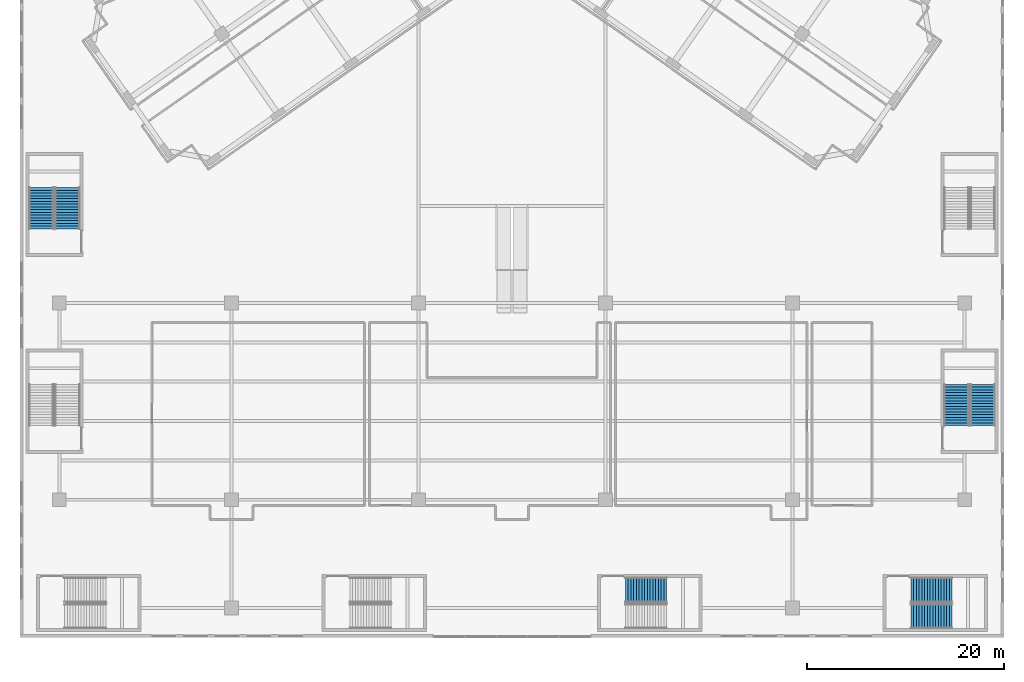
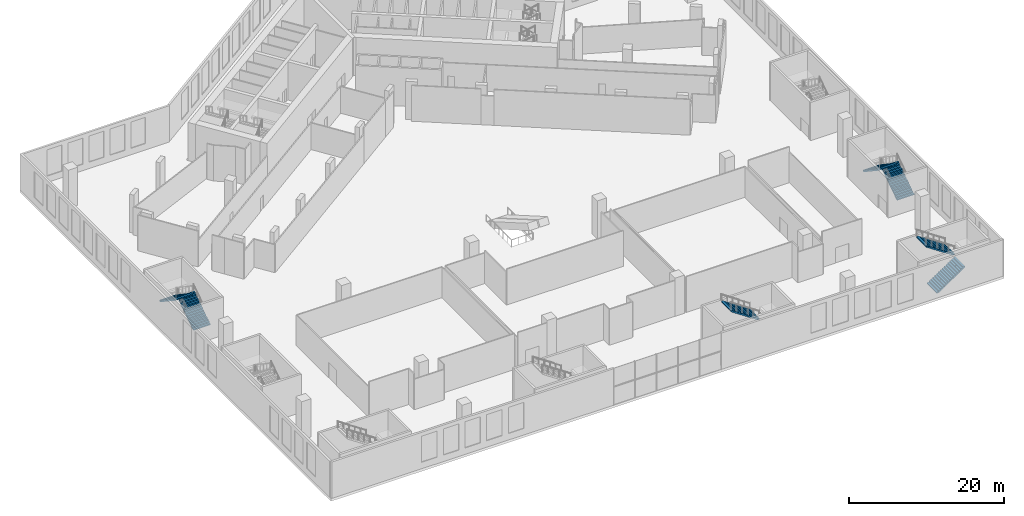
# One storey, part 14 of 25: 7 stair flights, 4 elements without a shape of their own.
"""IFC4 building model written with IfcOpenShell, lengths in metres."""

import ifcopenshell
import ifcopenshell.guid

model = None  # the IFC model being written
_history = None  # IfcOwnerHistory: only IFC2X3 demands one
_inside = {}  # id of a spatial element -> (the spatial element, [elements in it])
_under = {}  # id of a project, library or spatial element -> (it, [spatial elements below it])
_declared = {}  # id of a project -> (the project, [libraries it declares])
_typed = {}  # id of a type object -> (the type object, [elements of that type])
_made_of = {}  # id of a material, layer set ... -> (it, [elements and type objects made of it])


def new_model(schema):
    """Start an empty IFC model of exactly this schema.

    Asked for "IFC4X3", IfcOpenShell would pick the latest addendum, in which some entities
    have other attributes; the version numbers below select the first issue.
    IFC2X3 requires an IfcOwnerHistory on every rooted entity: one is made here for all.
    """
    global model, _history
    if schema == "IFC4X3":
        model = ifcopenshell.file(schema_version=(4, 3, 0, 0))
    else:
        model = ifcopenshell.file(schema=schema)
    _inside.clear()
    _under.clear()
    _declared.clear()
    _typed.clear()
    _made_of.clear()
    _history = None
    if model.schema == "IFC2X3":
        org = make("IfcOrganization", Name="unknown")
        user = make(
            "IfcPersonAndOrganization",
            ThePerson=make("IfcPerson", FamilyName="unknown"),
            TheOrganization=org,
        )
        app = make(
            "IfcApplication",
            ApplicationDeveloper=org,
            Version="unknown",
            ApplicationFullName="unknown",
            ApplicationIdentifier="unknown",
        )
        _history = make(
            "IfcOwnerHistory",
            OwningUser=user,
            OwningApplication=app,
            ChangeAction="ADDED",
            CreationDate=0,
        )
    return model


def make(cls, **values):
    """One entity of the class cls with the attributes given. An attribute that is None is left unset."""
    return model.create_entity(
        cls, **{name: value for name, value in values.items() if value is not None}
    )


def rooted(cls, **values):
    """An entity with a GlobalId (a new one), such as an element, a storey or a relation."""
    return make(cls, GlobalId=ifcopenshell.guid.new(), OwnerHistory=_history, **values)


def si_unit(unit_type, name, prefix=None):
    """IfcSIUnit, for example si_unit("LENGTHUNIT", "METRE", prefix="MILLI")."""
    return make("IfcSIUnit", UnitType=unit_type, Prefix=prefix, Name=name)


def assignment(units):
    """IfcUnitAssignment: the units of a project."""
    return None if units is None else make("IfcUnitAssignment", Units=units)


def point(xyz):
    """IfcCartesianPoint."""
    return None if xyz is None else make("IfcCartesianPoint", Coordinates=xyz)


def direction(xyz):
    """IfcDirection."""
    return None if xyz is None else make("IfcDirection", DirectionRatios=xyz)


def frame(location, z_axis=None, x_axis=None):
    """IfcAxis2Placement3D, a coordinate frame: its origin and axes. An axis left out is left unset."""
    return make(
        "IfcAxis2Placement3D",
        Location=point(location),
        Axis=direction(z_axis),
        RefDirection=direction(x_axis),
    )


def origin():
    """The frame at (0, 0, 0) with its axes left unset."""
    return frame((0.0, 0.0, 0.0))


def place(relative_to, where):
    """IfcLocalPlacement: puts the frame where relative to a parent placement (None: the world)."""
    return make(
        "IfcLocalPlacement", PlacementRelTo=relative_to, RelativePlacement=where
    )


def context(
    kind, dimensions, precision=None, world=None, true_north=None, identifier=None
):
    """IfcGeometricRepresentationContext, for example the 3D "Model" context."""
    return make(
        "IfcGeometricRepresentationContext",
        ContextIdentifier=identifier,
        ContextType=kind,
        CoordinateSpaceDimension=dimensions,
        Precision=precision,
        WorldCoordinateSystem=world,
        TrueNorth=true_north,
    )


def subcontext(parent, identifier, kind, view, scale=None):
    """IfcGeometricRepresentationSubContext, for example "Body" below "Model"."""
    return make(
        "IfcGeometricRepresentationSubContext",
        ContextIdentifier=identifier,
        ContextType=kind,
        ParentContext=parent,
        TargetScale=scale,
        TargetView=view,
    )


def project(units=None, contexts=None):
    """IfcProject with its units and contexts."""
    return rooted(
        "IfcProject",
        Name="project",
        RepresentationContexts=contexts,
        UnitsInContext=assignment(units),
    )


def spatial(cls, under=None, at=None, **own):
    """A site, building, storey or space (cls), placed at a placement, below another one or the project."""
    s = rooted(cls, ObjectPlacement=at, **own)
    if under is not None:
        _under.setdefault(under.id(), (under, []))[1].append(s)
    return s


def polyline(points):
    """IfcPolyline through the points."""
    return make("IfcPolyline", Points=[point(p) for p in points])


def outline(outer, holes=None, kind="AREA"):
    """IfcArbitraryClosedProfileDef: a profile drawn as a closed curve; with holes, ...WithVoids."""
    if holes is None:
        return make("IfcArbitraryClosedProfileDef", ProfileType=kind, OuterCurve=outer)
    return make(
        "IfcArbitraryProfileDefWithVoids",
        ProfileType=kind,
        OuterCurve=outer,
        InnerCurves=holes,
    )


def extrude(swept, where, along, depth):
    """IfcExtrudedAreaSolid: the profile swept, set in the frame where, extruded along a direction by depth."""
    return make(
        "IfcExtrudedAreaSolid",
        SweptArea=swept,
        Position=where,
        ExtrudedDirection=direction(along),
        Depth=depth,
    )


def shape(context_of_items, identifier, shape_type, items):
    """IfcShapeRepresentation: the items that make up one representation, for example the "Body"."""
    return make(
        "IfcShapeRepresentation",
        ContextOfItems=context_of_items,
        RepresentationIdentifier=identifier,
        RepresentationType=shape_type,
        Items=items,
    )


def material(Name=None, Category=None):
    """IfcMaterial."""
    return make("IfcMaterial", Name=Name, Category=Category)


def made_of(thing, what):
    """Note that an element or type object is made of a material, layer set ...; save() writes the relation."""
    if what is not None:
        _made_of.setdefault(what.id(), (what, []))[1].append(thing)
    return thing


def type_object(cls, material=None, **own):
    """A type object (cls), such as IfcWallType, which elements share."""
    return made_of(rooted(cls, **own), material)


def element(
    cls,
    number,
    at=None,
    inside=None,
    cuts=None,
    type_object=None,
    material=None,
    context=None,
    identifier="Body",
    shape_type=None,
    held_by="IfcProductDefinitionShape",
    body=None,
    shapes=None,
    **own,
):
    """One element of the class cls, such as IfcWall. Its Tag is "e" and its number.

    at: its placement. inside: the storey or other place that contains it. cuts: it is an
    opening in that element (IfcRelVoidsElement). A single representation is given by context,
    identifier, shape_type and body (its items); several are given by shapes. held_by: the class
    of the entity that holds the representations. save() writes the other relations.
    """
    e = rooted(cls, Tag="e%d" % number, ObjectPlacement=at, **own)
    if body is not None:
        shapes = [shape(context, identifier, shape_type, body)]
    if shapes is not None:
        e.Representation = make(held_by, Representations=shapes)
    if inside is not None:
        _inside.setdefault(inside.id(), (inside, []))[1].append(e)
    if cuts is not None:
        rooted(
            "IfcRelVoidsElement", RelatingBuildingElement=cuts, RelatedOpeningElement=e
        )
    if type_object is not None:
        _typed.setdefault(type_object.id(), (type_object, []))[1].append(e)
    return made_of(e, material)


def aggregate(whole, parts):
    """IfcRelAggregates: a whole, such as a stair, and the parts it consists of."""
    return rooted("IfcRelAggregates", RelatingObject=whole, RelatedObjects=parts)


def save(model, path):
    """Write the relations noted so far, then the file.

    IfcRelAggregates (storeys below a building ...), IfcRelContainedInSpatialStructure (elements
    in a storey), IfcRelDefinesByType, IfcRelAssociatesMaterial and IfcRelDeclares: one each for
    every whole, place, type object, material and project.
    """
    for whole, parts in _under.values():
        aggregate(whole, parts)
    for where, things in _inside.values():
        rooted(
            "IfcRelContainedInSpatialStructure",
            RelatedElements=things,
            RelatingStructure=where,
        )
    for kind, things in _typed.values():
        rooted("IfcRelDefinesByType", RelatedObjects=things, RelatingType=kind)
    for what, things in _made_of.values():
        rooted("IfcRelAssociatesMaterial", RelatedObjects=things, RelatingMaterial=what)
    for by, libraries in _declared.values():
        rooted("IfcRelDeclares", RelatingContext=by, RelatedDefinitions=libraries)
    model.write(path)


model = new_model("IFC4")

# Units and contexts
model_context = context("Model", 3, precision=1e-05, world=origin(), true_north=direction((0.0, 1.0)))
body_context = subcontext(model_context, "Body", "Model", "MODEL_VIEW")
ifc_project = project(units=[si_unit("LENGTHUNIT", "METRE"), si_unit("AREAUNIT", "SQUARE_METRE"), si_unit("VOLUMEUNIT", "CUBIC_METRE"), si_unit("PLANEANGLEUNIT", "RADIAN"), si_unit("MASSUNIT", "GRAM", prefix="KILO")], contexts=[model_context])

# Site, building, storey
site_placement = place(None, origin())
site = spatial("IfcSite", under=ifc_project, at=site_placement, CompositionType="ELEMENT")
building_placement = place(site_placement, origin())
building = spatial("IfcBuilding", under=site, at=building_placement, Name="Tel Ilan Convention Tower", CompositionType="ELEMENT")
storey_placement = place(building_placement, frame((0.0, 0.0, 26.0)))
storey = spatial("IfcBuildingStorey", under=building, at=storey_placement, Name="L03", CompositionType="ELEMENT", Elevation=26.0)

# Stair, stair flight
ifc_material_1 = material(Name="Concrete C40/50", Category="concrete")
stair_type = type_object("IfcStairType", Name="Pressurised Exit Stair 32 risers 188 mm", PredefinedType="HALF_TURN_STAIR", material=ifc_material_1)
stair_1_placement = place(storey_placement, origin())
stair_1 = element("IfcStair", 1, at=stair_1_placement, inside=storey, type_object=stair_type, Name="L03 Podium Exit Stair P3", PredefinedType="HALF_TURN_STAIR")
ifc_material_2 = material(Name="Precast Concrete C40/50", Category="concrete")
stair_flight_type = type_object("IfcStairFlightType", Name="Concrete Stair Flight 2525 mm 32 risers 188 mm", PredefinedType="STRAIGHT", material=ifc_material_2)
stair_flight_1_placement = place(storey_placement, frame((15.72509765625, -77.16259765625, 3.0), z_axis=(0.0, 0.0, 1.0), x_axis=(-1.0, 0.0, 0.0)))
stair_flight_1 = element("IfcStairFlight", 2, at=stair_flight_1_placement, type_object=stair_flight_type, Name="P3 flight 2", NumberOfRisers=16, NumberOfTreads=15, PredefinedType="STRAIGHT", RiserHeight=0.1875, TreadLength=0.28, context=body_context, shape_type="SweptSolid", body=[
    extrude(outline(polyline([(0.0, 0.0), (0.0, 0.1875), (0.280029296875, 0.1875), (0.280029296875, 0.375), (0.56005859375, 0.375), (0.56005859375, 0.5625), (0.840087890625, 0.5625), (0.840087890625, 0.75), (1.1201171875, 0.75), (1.1201171875, 0.9375), (1.39990234375, 0.9375), (1.39990234375, 1.125), (1.679931640625, 1.125), (1.679931640625, 1.3125), (1.9599609375, 1.3125), (1.9599609375, 1.5), (2.239990234375, 1.5), (2.239990234375, 1.6875), (2.52001953125, 1.6875), (2.52001953125, 1.875), (2.800048828125, 1.875), (2.800048828125, 2.0625), (3.080078125, 2.0625), (3.080078125, 2.25), (3.360107421875, 2.25), (3.360107421875, 2.4375), (3.639892578125, 2.4375), (3.639892578125, 2.625), (3.919921875, 2.625), (3.919921875, 2.8125), (4.199951171875, 2.8125), (4.199951171875, 3.0), (4.199951171875, 2.632080078125), (0.26953125, 0.0), (0.0, 0.0)])), frame((0.0, -0.100341796875, 0.0), z_axis=(0.0, -1.0, 0.0), x_axis=(1.0, 0.0, 0.0)), (0.0, 0.0, 1.0), 1.162109375),
    extrude(outline(polyline([(0.0, 0.0), (0.0, 0.1875), (0.280029296875, 0.1875), (0.280029296875, 0.375), (0.56005859375, 0.375), (0.56005859375, 0.5625), (0.840087890625, 0.5625), (0.840087890625, 0.75), (1.1201171875, 0.75), (1.1201171875, 0.9375), (1.39990234375, 0.9375), (1.39990234375, 1.125), (1.679931640625, 1.125), (1.679931640625, 1.3125), (1.9599609375, 1.3125), (1.9599609375, 1.5), (2.239990234375, 1.5), (2.239990234375, 1.6875), (2.52001953125, 1.6875), (2.52001953125, 1.875), (2.800048828125, 1.875), (2.800048828125, 2.0625), (3.080078125, 2.0625), (3.080078125, 2.25), (3.360107421875, 2.25), (3.360107421875, 2.4375), (3.639892578125, 2.4375), (3.639892578125, 2.625), (3.919921875, 2.625), (3.919921875, 2.8125), (4.199951171875, 2.8125), (4.199951171875, 3.0), (4.199951171875, 2.632080078125), (0.26953125, 0.0), (0.0, 0.0)])), frame((0.0, -0.000244140625, 0.0), z_axis=(0.0, -1.0, 0.0), x_axis=(1.0, 0.0, 0.0)), (0.0, 0.0, 1.0), 0.099609375),
    extrude(outline(polyline([(0.0, 0.0), (0.0, 0.1875), (0.280029296875, 0.1875), (0.280029296875, 0.375), (0.56005859375, 0.375), (0.56005859375, 0.5625), (0.840087890625, 0.5625), (0.840087890625, 0.75), (1.1201171875, 0.75), (1.1201171875, 0.9375), (1.39990234375, 0.9375), (1.39990234375, 1.125), (1.679931640625, 1.125), (1.679931640625, 1.3125), (1.9599609375, 1.3125), (1.9599609375, 1.5), (2.239990234375, 1.5), (2.239990234375, 1.6875), (2.52001953125, 1.6875), (2.52001953125, 1.875), (2.800048828125, 1.875), (2.800048828125, 2.0625), (3.080078125, 2.0625), (3.080078125, 2.25), (3.360107421875, 2.25), (3.360107421875, 2.4375), (3.639892578125, 2.4375), (3.639892578125, 2.625), (3.919921875, 2.625), (3.919921875, 2.8125), (4.199951171875, 2.8125), (4.199951171875, 3.0), (4.199951171875, 2.632080078125), (0.26953125, 0.0), (0.0, 0.0)])), frame((0.0, 0.099853515625, 0.0), z_axis=(0.0, -1.0, 0.0), x_axis=(1.0, 0.0, 0.0)), (0.0, 0.0, 1.0), 0.099609375),
    extrude(outline(polyline([(0.0, 0.0), (0.0, 0.1875), (0.280029296875, 0.1875), (0.280029296875, 0.375), (0.56005859375, 0.375), (0.56005859375, 0.5625), (0.840087890625, 0.5625), (0.840087890625, 0.75), (1.1201171875, 0.75), (1.1201171875, 0.9375), (1.39990234375, 0.9375), (1.39990234375, 1.125), (1.679931640625, 1.125), (1.679931640625, 1.3125), (1.9599609375, 1.3125), (1.9599609375, 1.5), (2.239990234375, 1.5), (2.239990234375, 1.6875), (2.52001953125, 1.6875), (2.52001953125, 1.875), (2.800048828125, 1.875), (2.800048828125, 2.0625), (3.080078125, 2.0625), (3.080078125, 2.25), (3.360107421875, 2.25), (3.360107421875, 2.4375), (3.639892578125, 2.4375), (3.639892578125, 2.625), (3.919921875, 2.625), (3.919921875, 2.8125), (4.199951171875, 2.8125), (4.199951171875, 3.0), (4.199951171875, 2.632080078125), (0.26953125, 0.0), (0.0, 0.0)])), frame((0.0, 1.262451171875, 0.0), z_axis=(0.0, -1.0, 0.0), x_axis=(1.0, 0.0, 0.0)), (0.0, 0.0, 1.0), 1.162109375),
])
aggregate(stair_1, [stair_flight_1])

# Stair, stair flights
stair_2_placement = place(storey_placement, origin())
stair_2 = element("IfcStair", 3, at=stair_2_placement, inside=storey, type_object=stair_type, Name="L03 Podium Exit Stair P4", PredefinedType="HALF_TURN_STAIR")
stair_flight_2_placement = place(storey_placement, frame((40.52490234375, -79.83740234375, 0.0), z_axis=(0.0, 0.0, 1.0), x_axis=(1.0, 0.0, 0.0)))
stair_flight_2 = element("IfcStairFlight", 4, at=stair_flight_2_placement, type_object=stair_flight_type, Name="P4 flight 1", NumberOfRisers=16, NumberOfTreads=15, PredefinedType="STRAIGHT", RiserHeight=0.1875, TreadLength=0.28, context=body_context, shape_type="SweptSolid", body=[
    extrude(outline(polyline([(0.0, 0.0), (0.0, 0.1875), (0.280029296875, 0.1875), (0.280029296875, 0.375), (0.56005859375, 0.375), (0.56005859375, 0.5625), (0.840087890625, 0.5625), (0.840087890625, 0.75), (1.1201171875, 0.75), (1.1201171875, 0.9375), (1.39990234375, 0.9375), (1.39990234375, 1.125), (1.679931640625, 1.125), (1.679931640625, 1.3125), (1.9599609375, 1.3125), (1.9599609375, 1.5), (2.239990234375, 1.5), (2.239990234375, 1.6875), (2.52001953125, 1.6875), (2.52001953125, 1.875), (2.800048828125, 1.875), (2.800048828125, 2.0625), (3.080078125, 2.0625), (3.080078125, 2.25), (3.360107421875, 2.25), (3.360107421875, 2.4375), (3.639892578125, 2.4375), (3.639892578125, 2.625), (3.919921875, 2.625), (3.919921875, 2.8125), (4.199951171875, 2.8125), (4.199951171875, 3.0), (4.199951171875, 2.632080078125), (0.26953125, 0.0), (0.0, 0.0)])), frame((0.0, -0.100341796875, 0.0), z_axis=(0.0, -1.0, 0.0), x_axis=(1.0, 0.0, 0.0)), (0.0, 0.0, 1.0), 1.162109375),
    extrude(outline(polyline([(0.0, 0.0), (0.0, 0.1875), (0.280029296875, 0.1875), (0.280029296875, 0.375), (0.56005859375, 0.375), (0.56005859375, 0.5625), (0.840087890625, 0.5625), (0.840087890625, 0.75), (1.1201171875, 0.75), (1.1201171875, 0.9375), (1.39990234375, 0.9375), (1.39990234375, 1.125), (1.679931640625, 1.125), (1.679931640625, 1.3125), (1.9599609375, 1.3125), (1.9599609375, 1.5), (2.239990234375, 1.5), (2.239990234375, 1.6875), (2.52001953125, 1.6875), (2.52001953125, 1.875), (2.800048828125, 1.875), (2.800048828125, 2.0625), (3.080078125, 2.0625), (3.080078125, 2.25), (3.360107421875, 2.25), (3.360107421875, 2.4375), (3.639892578125, 2.4375), (3.639892578125, 2.625), (3.919921875, 2.625), (3.919921875, 2.8125), (4.199951171875, 2.8125), (4.199951171875, 3.0), (4.199951171875, 2.632080078125), (0.26953125, 0.0), (0.0, 0.0)])), frame((0.0, -0.000244140625, 0.0), z_axis=(0.0, -1.0, 0.0), x_axis=(1.0, 0.0, 0.0)), (0.0, 0.0, 1.0), 0.099609375),
    extrude(outline(polyline([(0.0, 0.0), (0.0, 0.1875), (0.280029296875, 0.1875), (0.280029296875, 0.375), (0.56005859375, 0.375), (0.56005859375, 0.5625), (0.840087890625, 0.5625), (0.840087890625, 0.75), (1.1201171875, 0.75), (1.1201171875, 0.9375), (1.39990234375, 0.9375), (1.39990234375, 1.125), (1.679931640625, 1.125), (1.679931640625, 1.3125), (1.9599609375, 1.3125), (1.9599609375, 1.5), (2.239990234375, 1.5), (2.239990234375, 1.6875), (2.52001953125, 1.6875), (2.52001953125, 1.875), (2.800048828125, 1.875), (2.800048828125, 2.0625), (3.080078125, 2.0625), (3.080078125, 2.25), (3.360107421875, 2.25), (3.360107421875, 2.4375), (3.639892578125, 2.4375), (3.639892578125, 2.625), (3.919921875, 2.625), (3.919921875, 2.8125), (4.199951171875, 2.8125), (4.199951171875, 3.0), (4.199951171875, 2.632080078125), (0.26953125, 0.0), (0.0, 0.0)])), frame((0.0, 0.099853515625, 0.0), z_axis=(0.0, -1.0, 0.0), x_axis=(1.0, 0.0, 0.0)), (0.0, 0.0, 1.0), 0.099609375),
    extrude(outline(polyline([(0.0, 0.0), (0.0, 0.1875), (0.280029296875, 0.1875), (0.280029296875, 0.375), (0.56005859375, 0.375), (0.56005859375, 0.5625), (0.840087890625, 0.5625), (0.840087890625, 0.75), (1.1201171875, 0.75), (1.1201171875, 0.9375), (1.39990234375, 0.9375), (1.39990234375, 1.125), (1.679931640625, 1.125), (1.679931640625, 1.3125), (1.9599609375, 1.3125), (1.9599609375, 1.5), (2.239990234375, 1.5), (2.239990234375, 1.6875), (2.52001953125, 1.6875), (2.52001953125, 1.875), (2.800048828125, 1.875), (2.800048828125, 2.0625), (3.080078125, 2.0625), (3.080078125, 2.25), (3.360107421875, 2.25), (3.360107421875, 2.4375), (3.639892578125, 2.4375), (3.639892578125, 2.625), (3.919921875, 2.625), (3.919921875, 2.8125), (4.199951171875, 2.8125), (4.199951171875, 3.0), (4.199951171875, 2.632080078125), (0.26953125, 0.0), (0.0, 0.0)])), frame((0.0, 1.262451171875, 0.0), z_axis=(0.0, -1.0, 0.0), x_axis=(1.0, 0.0, 0.0)), (0.0, 0.0, 1.0), 1.162109375),
])
stair_flight_3_placement = place(storey_placement, frame((44.72509765625, -77.16259765625, 3.0), z_axis=(0.0, 0.0, 1.0), x_axis=(-1.0, 0.0, 0.0)))
stair_flight_3 = element("IfcStairFlight", 5, at=stair_flight_3_placement, type_object=stair_flight_type, Name="P4 flight 2", NumberOfRisers=16, NumberOfTreads=15, PredefinedType="STRAIGHT", RiserHeight=0.1875, TreadLength=0.28, context=body_context, shape_type="SweptSolid", body=[
    extrude(outline(polyline([(0.0, 0.0), (0.0, 0.1875), (0.280029296875, 0.1875), (0.280029296875, 0.375), (0.56005859375, 0.375), (0.56005859375, 0.5625), (0.840087890625, 0.5625), (0.840087890625, 0.75), (1.1201171875, 0.75), (1.1201171875, 0.9375), (1.39990234375, 0.9375), (1.39990234375, 1.125), (1.679931640625, 1.125), (1.679931640625, 1.3125), (1.9599609375, 1.3125), (1.9599609375, 1.5), (2.239990234375, 1.5), (2.239990234375, 1.6875), (2.52001953125, 1.6875), (2.52001953125, 1.875), (2.800048828125, 1.875), (2.800048828125, 2.0625), (3.080078125, 2.0625), (3.080078125, 2.25), (3.360107421875, 2.25), (3.360107421875, 2.4375), (3.639892578125, 2.4375), (3.639892578125, 2.625), (3.919921875, 2.625), (3.919921875, 2.8125), (4.199951171875, 2.8125), (4.199951171875, 3.0), (4.199951171875, 2.632080078125), (0.26953125, 0.0), (0.0, 0.0)])), frame((0.0, -0.100341796875, 0.0), z_axis=(0.0, -1.0, 0.0), x_axis=(1.0, 0.0, 0.0)), (0.0, 0.0, 1.0), 1.162109375),
    extrude(outline(polyline([(0.0, 0.0), (0.0, 0.1875), (0.280029296875, 0.1875), (0.280029296875, 0.375), (0.56005859375, 0.375), (0.56005859375, 0.5625), (0.840087890625, 0.5625), (0.840087890625, 0.75), (1.1201171875, 0.75), (1.1201171875, 0.9375), (1.39990234375, 0.9375), (1.39990234375, 1.125), (1.679931640625, 1.125), (1.679931640625, 1.3125), (1.9599609375, 1.3125), (1.9599609375, 1.5), (2.239990234375, 1.5), (2.239990234375, 1.6875), (2.52001953125, 1.6875), (2.52001953125, 1.875), (2.800048828125, 1.875), (2.800048828125, 2.0625), (3.080078125, 2.0625), (3.080078125, 2.25), (3.360107421875, 2.25), (3.360107421875, 2.4375), (3.639892578125, 2.4375), (3.639892578125, 2.625), (3.919921875, 2.625), (3.919921875, 2.8125), (4.199951171875, 2.8125), (4.199951171875, 3.0), (4.199951171875, 2.632080078125), (0.26953125, 0.0), (0.0, 0.0)])), frame((0.0, -0.000244140625, 0.0), z_axis=(0.0, -1.0, 0.0), x_axis=(1.0, 0.0, 0.0)), (0.0, 0.0, 1.0), 0.099609375),
    extrude(outline(polyline([(0.0, 0.0), (0.0, 0.1875), (0.280029296875, 0.1875), (0.280029296875, 0.375), (0.56005859375, 0.375), (0.56005859375, 0.5625), (0.840087890625, 0.5625), (0.840087890625, 0.75), (1.1201171875, 0.75), (1.1201171875, 0.9375), (1.39990234375, 0.9375), (1.39990234375, 1.125), (1.679931640625, 1.125), (1.679931640625, 1.3125), (1.9599609375, 1.3125), (1.9599609375, 1.5), (2.239990234375, 1.5), (2.239990234375, 1.6875), (2.52001953125, 1.6875), (2.52001953125, 1.875), (2.800048828125, 1.875), (2.800048828125, 2.0625), (3.080078125, 2.0625), (3.080078125, 2.25), (3.360107421875, 2.25), (3.360107421875, 2.4375), (3.639892578125, 2.4375), (3.639892578125, 2.625), (3.919921875, 2.625), (3.919921875, 2.8125), (4.199951171875, 2.8125), (4.199951171875, 3.0), (4.199951171875, 2.632080078125), (0.26953125, 0.0), (0.0, 0.0)])), frame((0.0, 0.099853515625, 0.0), z_axis=(0.0, -1.0, 0.0), x_axis=(1.0, 0.0, 0.0)), (0.0, 0.0, 1.0), 0.099609375),
    extrude(outline(polyline([(0.0, 0.0), (0.0, 0.1875), (0.280029296875, 0.1875), (0.280029296875, 0.375), (0.56005859375, 0.375), (0.56005859375, 0.5625), (0.840087890625, 0.5625), (0.840087890625, 0.75), (1.1201171875, 0.75), (1.1201171875, 0.9375), (1.39990234375, 0.9375), (1.39990234375, 1.125), (1.679931640625, 1.125), (1.679931640625, 1.3125), (1.9599609375, 1.3125), (1.9599609375, 1.5), (2.239990234375, 1.5), (2.239990234375, 1.6875), (2.52001953125, 1.6875), (2.52001953125, 1.875), (2.800048828125, 1.875), (2.800048828125, 2.0625), (3.080078125, 2.0625), (3.080078125, 2.25), (3.360107421875, 2.25), (3.360107421875, 2.4375), (3.639892578125, 2.4375), (3.639892578125, 2.625), (3.919921875, 2.625), (3.919921875, 2.8125), (4.199951171875, 2.8125), (4.199951171875, 3.0), (4.199951171875, 2.632080078125), (0.26953125, 0.0), (0.0, 0.0)])), frame((0.0, 1.262451171875, 0.0), z_axis=(0.0, -1.0, 0.0), x_axis=(1.0, 0.0, 0.0)), (0.0, 0.0, 1.0), 1.162109375),
])
aggregate(stair_2, [stair_flight_2, stair_flight_3])

stair_3_placement = place(storey_placement, origin())
stair_3 = element("IfcStair", 6, at=stair_3_placement, inside=storey, type_object=stair_type, Name="L03 Podium Exit Stair P6", PredefinedType="HALF_TURN_STAIR")
stair_flight_4_placement = place(storey_placement, frame((47.83740234375, -60.47509765625, 0.0), z_axis=(0.0, 0.0, 1.0), x_axis=(0.0, 1.0, 0.0)))
stair_flight_4 = element("IfcStairFlight", 7, at=stair_flight_4_placement, type_object=stair_flight_type, Name="P6 flight 1", NumberOfRisers=16, NumberOfTreads=15, PredefinedType="STRAIGHT", RiserHeight=0.1875, TreadLength=0.28, context=body_context, shape_type="SweptSolid", body=[
    extrude(outline(polyline([(0.0, 0.0), (0.0, 0.1875), (0.280029296875, 0.1875), (0.280029296875, 0.375), (0.56005859375, 0.375), (0.56005859375, 0.5625), (0.840087890625, 0.5625), (0.840087890625, 0.75), (1.1201171875, 0.75), (1.1201171875, 0.9375), (1.39990234375, 0.9375), (1.39990234375, 1.125), (1.679931640625, 1.125), (1.679931640625, 1.3125), (1.9599609375, 1.3125), (1.9599609375, 1.5), (2.239990234375, 1.5), (2.239990234375, 1.6875), (2.52001953125, 1.6875), (2.52001953125, 1.875), (2.800048828125, 1.875), (2.800048828125, 2.0625), (3.080078125, 2.0625), (3.080078125, 2.25), (3.360107421875, 2.25), (3.360107421875, 2.4375), (3.639892578125, 2.4375), (3.639892578125, 2.625), (3.919921875, 2.625), (3.919921875, 2.8125), (4.199951171875, 2.8125), (4.199951171875, 3.0), (4.199951171875, 2.632080078125), (0.26953125, 0.0), (0.0, 0.0)])), frame((0.0, -0.100341796875, 0.0), z_axis=(0.0, -1.0, 0.0), x_axis=(1.0, 0.0, 0.0)), (0.0, 0.0, 1.0), 1.162109375),
    extrude(outline(polyline([(0.0, 0.0), (0.0, 0.1875), (0.280029296875, 0.1875), (0.280029296875, 0.375), (0.56005859375, 0.375), (0.56005859375, 0.5625), (0.840087890625, 0.5625), (0.840087890625, 0.75), (1.1201171875, 0.75), (1.1201171875, 0.9375), (1.39990234375, 0.9375), (1.39990234375, 1.125), (1.679931640625, 1.125), (1.679931640625, 1.3125), (1.9599609375, 1.3125), (1.9599609375, 1.5), (2.239990234375, 1.5), (2.239990234375, 1.6875), (2.52001953125, 1.6875), (2.52001953125, 1.875), (2.800048828125, 1.875), (2.800048828125, 2.0625), (3.080078125, 2.0625), (3.080078125, 2.25), (3.360107421875, 2.25), (3.360107421875, 2.4375), (3.639892578125, 2.4375), (3.639892578125, 2.625), (3.919921875, 2.625), (3.919921875, 2.8125), (4.199951171875, 2.8125), (4.199951171875, 3.0), (4.199951171875, 2.632080078125), (0.26953125, 0.0), (0.0, 0.0)])), frame((0.0, -0.000244140625, 0.0), z_axis=(0.0, -1.0, 0.0), x_axis=(1.0, 0.0, 0.0)), (0.0, 0.0, 1.0), 0.099609375),
    extrude(outline(polyline([(0.0, 0.0), (0.0, 0.1875), (0.280029296875, 0.1875), (0.280029296875, 0.375), (0.56005859375, 0.375), (0.56005859375, 0.5625), (0.840087890625, 0.5625), (0.840087890625, 0.75), (1.1201171875, 0.75), (1.1201171875, 0.9375), (1.39990234375, 0.9375), (1.39990234375, 1.125), (1.679931640625, 1.125), (1.679931640625, 1.3125), (1.9599609375, 1.3125), (1.9599609375, 1.5), (2.239990234375, 1.5), (2.239990234375, 1.6875), (2.52001953125, 1.6875), (2.52001953125, 1.875), (2.800048828125, 1.875), (2.800048828125, 2.0625), (3.080078125, 2.0625), (3.080078125, 2.25), (3.360107421875, 2.25), (3.360107421875, 2.4375), (3.639892578125, 2.4375), (3.639892578125, 2.625), (3.919921875, 2.625), (3.919921875, 2.8125), (4.199951171875, 2.8125), (4.199951171875, 3.0), (4.199951171875, 2.632080078125), (0.26953125, 0.0), (0.0, 0.0)])), frame((0.0, 0.099853515625, 0.0), z_axis=(0.0, -1.0, 0.0), x_axis=(1.0, 0.0, 0.0)), (0.0, 0.0, 1.0), 0.099609375),
    extrude(outline(polyline([(0.0, 0.0), (0.0, 0.1875), (0.280029296875, 0.1875), (0.280029296875, 0.375), (0.56005859375, 0.375), (0.56005859375, 0.5625), (0.840087890625, 0.5625), (0.840087890625, 0.75), (1.1201171875, 0.75), (1.1201171875, 0.9375), (1.39990234375, 0.9375), (1.39990234375, 1.125), (1.679931640625, 1.125), (1.679931640625, 1.3125), (1.9599609375, 1.3125), (1.9599609375, 1.5), (2.239990234375, 1.5), (2.239990234375, 1.6875), (2.52001953125, 1.6875), (2.52001953125, 1.875), (2.800048828125, 1.875), (2.800048828125, 2.0625), (3.080078125, 2.0625), (3.080078125, 2.25), (3.360107421875, 2.25), (3.360107421875, 2.4375), (3.639892578125, 2.4375), (3.639892578125, 2.625), (3.919921875, 2.625), (3.919921875, 2.8125), (4.199951171875, 2.8125), (4.199951171875, 3.0), (4.199951171875, 2.632080078125), (0.26953125, 0.0), (0.0, 0.0)])), frame((0.0, 1.262451171875, 0.0), z_axis=(0.0, -1.0, 0.0), x_axis=(1.0, 0.0, 0.0)), (0.0, 0.0, 1.0), 1.162109375),
])
stair_flight_5_placement = place(storey_placement, frame((45.16259765625, -56.27490234375, 3.0), z_axis=(0.0, 0.0, 1.0), x_axis=(0.0, -1.0, 0.0)))
stair_flight_5 = element("IfcStairFlight", 8, at=stair_flight_5_placement, type_object=stair_flight_type, Name="P6 flight 2", NumberOfRisers=16, NumberOfTreads=15, PredefinedType="STRAIGHT", RiserHeight=0.1875, TreadLength=0.28, context=body_context, shape_type="SweptSolid", body=[
    extrude(outline(polyline([(0.0, 0.0), (0.0, 0.1875), (0.280029296875, 0.1875), (0.280029296875, 0.375), (0.56005859375, 0.375), (0.56005859375, 0.5625), (0.840087890625, 0.5625), (0.840087890625, 0.75), (1.1201171875, 0.75), (1.1201171875, 0.9375), (1.39990234375, 0.9375), (1.39990234375, 1.125), (1.679931640625, 1.125), (1.679931640625, 1.3125), (1.9599609375, 1.3125), (1.9599609375, 1.5), (2.239990234375, 1.5), (2.239990234375, 1.6875), (2.52001953125, 1.6875), (2.52001953125, 1.875), (2.800048828125, 1.875), (2.800048828125, 2.0625), (3.080078125, 2.0625), (3.080078125, 2.25), (3.360107421875, 2.25), (3.360107421875, 2.4375), (3.639892578125, 2.4375), (3.639892578125, 2.625), (3.919921875, 2.625), (3.919921875, 2.8125), (4.199951171875, 2.8125), (4.199951171875, 3.0), (4.199951171875, 2.632080078125), (0.26953125, 0.0), (0.0, 0.0)])), frame((0.0, -0.100341796875, 0.0), z_axis=(0.0, -1.0, 0.0), x_axis=(1.0, 0.0, 0.0)), (0.0, 0.0, 1.0), 1.162109375),
    extrude(outline(polyline([(0.0, 0.0), (0.0, 0.1875), (0.280029296875, 0.1875), (0.280029296875, 0.375), (0.56005859375, 0.375), (0.56005859375, 0.5625), (0.840087890625, 0.5625), (0.840087890625, 0.75), (1.1201171875, 0.75), (1.1201171875, 0.9375), (1.39990234375, 0.9375), (1.39990234375, 1.125), (1.679931640625, 1.125), (1.679931640625, 1.3125), (1.9599609375, 1.3125), (1.9599609375, 1.5), (2.239990234375, 1.5), (2.239990234375, 1.6875), (2.52001953125, 1.6875), (2.52001953125, 1.875), (2.800048828125, 1.875), (2.800048828125, 2.0625), (3.080078125, 2.0625), (3.080078125, 2.25), (3.360107421875, 2.25), (3.360107421875, 2.4375), (3.639892578125, 2.4375), (3.639892578125, 2.625), (3.919921875, 2.625), (3.919921875, 2.8125), (4.199951171875, 2.8125), (4.199951171875, 3.0), (4.199951171875, 2.632080078125), (0.26953125, 0.0), (0.0, 0.0)])), frame((0.0, -0.000244140625, 0.0), z_axis=(0.0, -1.0, 0.0), x_axis=(1.0, 0.0, 0.0)), (0.0, 0.0, 1.0), 0.099609375),
    extrude(outline(polyline([(0.0, 0.0), (0.0, 0.1875), (0.280029296875, 0.1875), (0.280029296875, 0.375), (0.56005859375, 0.375), (0.56005859375, 0.5625), (0.840087890625, 0.5625), (0.840087890625, 0.75), (1.1201171875, 0.75), (1.1201171875, 0.9375), (1.39990234375, 0.9375), (1.39990234375, 1.125), (1.679931640625, 1.125), (1.679931640625, 1.3125), (1.9599609375, 1.3125), (1.9599609375, 1.5), (2.239990234375, 1.5), (2.239990234375, 1.6875), (2.52001953125, 1.6875), (2.52001953125, 1.875), (2.800048828125, 1.875), (2.800048828125, 2.0625), (3.080078125, 2.0625), (3.080078125, 2.25), (3.360107421875, 2.25), (3.360107421875, 2.4375), (3.639892578125, 2.4375), (3.639892578125, 2.625), (3.919921875, 2.625), (3.919921875, 2.8125), (4.199951171875, 2.8125), (4.199951171875, 3.0), (4.199951171875, 2.632080078125), (0.26953125, 0.0), (0.0, 0.0)])), frame((0.0, 0.099853515625, 0.0), z_axis=(0.0, -1.0, 0.0), x_axis=(1.0, 0.0, 0.0)), (0.0, 0.0, 1.0), 0.099609375),
    extrude(outline(polyline([(0.0, 0.0), (0.0, 0.1875), (0.280029296875, 0.1875), (0.280029296875, 0.375), (0.56005859375, 0.375), (0.56005859375, 0.5625), (0.840087890625, 0.5625), (0.840087890625, 0.75), (1.1201171875, 0.75), (1.1201171875, 0.9375), (1.39990234375, 0.9375), (1.39990234375, 1.125), (1.679931640625, 1.125), (1.679931640625, 1.3125), (1.9599609375, 1.3125), (1.9599609375, 1.5), (2.239990234375, 1.5), (2.239990234375, 1.6875), (2.52001953125, 1.6875), (2.52001953125, 1.875), (2.800048828125, 1.875), (2.800048828125, 2.0625), (3.080078125, 2.0625), (3.080078125, 2.25), (3.360107421875, 2.25), (3.360107421875, 2.4375), (3.639892578125, 2.4375), (3.639892578125, 2.625), (3.919921875, 2.625), (3.919921875, 2.8125), (4.199951171875, 2.8125), (4.199951171875, 3.0), (4.199951171875, 2.632080078125), (0.26953125, 0.0), (0.0, 0.0)])), frame((0.0, 1.262451171875, 0.0), z_axis=(0.0, -1.0, 0.0), x_axis=(1.0, 0.0, 0.0)), (0.0, 0.0, 1.0), 1.162109375),
])
aggregate(stair_3, [stair_flight_4, stair_flight_5])

stair_4_placement = place(storey_placement, origin())
stair_4 = element("IfcStair", 9, at=stair_4_placement, inside=storey, type_object=stair_type, Name="L03 Podium Exit Stair P7", PredefinedType="HALF_TURN_STAIR")
stair_flight_6_placement = place(storey_placement, frame((-45.16259765625, -40.47509765625, 0.0), z_axis=(0.0, 0.0, 1.0), x_axis=(0.0, 1.0, 0.0)))
stair_flight_6 = element("IfcStairFlight", 10, at=stair_flight_6_placement, type_object=stair_flight_type, Name="P7 flight 1", NumberOfRisers=16, NumberOfTreads=15, PredefinedType="STRAIGHT", RiserHeight=0.1875, TreadLength=0.28, context=body_context, shape_type="SweptSolid", body=[
    extrude(outline(polyline([(0.0, 0.0), (0.0, 0.1875), (0.280029296875, 0.1875), (0.280029296875, 0.375), (0.56005859375, 0.375), (0.56005859375, 0.5625), (0.840087890625, 0.5625), (0.840087890625, 0.75), (1.1201171875, 0.75), (1.1201171875, 0.9375), (1.39990234375, 0.9375), (1.39990234375, 1.125), (1.679931640625, 1.125), (1.679931640625, 1.3125), (1.9599609375, 1.3125), (1.9599609375, 1.5), (2.239990234375, 1.5), (2.239990234375, 1.6875), (2.52001953125, 1.6875), (2.52001953125, 1.875), (2.800048828125, 1.875), (2.800048828125, 2.0625), (3.080078125, 2.0625), (3.080078125, 2.25), (3.360107421875, 2.25), (3.360107421875, 2.4375), (3.639892578125, 2.4375), (3.639892578125, 2.625), (3.919921875, 2.625), (3.919921875, 2.8125), (4.199951171875, 2.8125), (4.199951171875, 3.0), (4.199951171875, 2.632080078125), (0.26953125, 0.0), (0.0, 0.0)])), frame((0.0, -0.100341796875, 0.0), z_axis=(0.0, -1.0, 0.0), x_axis=(1.0, 0.0, 0.0)), (0.0, 0.0, 1.0), 1.162109375),
    extrude(outline(polyline([(0.0, 0.0), (0.0, 0.1875), (0.280029296875, 0.1875), (0.280029296875, 0.375), (0.56005859375, 0.375), (0.56005859375, 0.5625), (0.840087890625, 0.5625), (0.840087890625, 0.75), (1.1201171875, 0.75), (1.1201171875, 0.9375), (1.39990234375, 0.9375), (1.39990234375, 1.125), (1.679931640625, 1.125), (1.679931640625, 1.3125), (1.9599609375, 1.3125), (1.9599609375, 1.5), (2.239990234375, 1.5), (2.239990234375, 1.6875), (2.52001953125, 1.6875), (2.52001953125, 1.875), (2.800048828125, 1.875), (2.800048828125, 2.0625), (3.080078125, 2.0625), (3.080078125, 2.25), (3.360107421875, 2.25), (3.360107421875, 2.4375), (3.639892578125, 2.4375), (3.639892578125, 2.625), (3.919921875, 2.625), (3.919921875, 2.8125), (4.199951171875, 2.8125), (4.199951171875, 3.0), (4.199951171875, 2.632080078125), (0.26953125, 0.0), (0.0, 0.0)])), frame((0.0, -0.000244140625, 0.0), z_axis=(0.0, -1.0, 0.0), x_axis=(1.0, 0.0, 0.0)), (0.0, 0.0, 1.0), 0.099609375),
    extrude(outline(polyline([(0.0, 0.0), (0.0, 0.1875), (0.280029296875, 0.1875), (0.280029296875, 0.375), (0.56005859375, 0.375), (0.56005859375, 0.5625), (0.840087890625, 0.5625), (0.840087890625, 0.75), (1.1201171875, 0.75), (1.1201171875, 0.9375), (1.39990234375, 0.9375), (1.39990234375, 1.125), (1.679931640625, 1.125), (1.679931640625, 1.3125), (1.9599609375, 1.3125), (1.9599609375, 1.5), (2.239990234375, 1.5), (2.239990234375, 1.6875), (2.52001953125, 1.6875), (2.52001953125, 1.875), (2.800048828125, 1.875), (2.800048828125, 2.0625), (3.080078125, 2.0625), (3.080078125, 2.25), (3.360107421875, 2.25), (3.360107421875, 2.4375), (3.639892578125, 2.4375), (3.639892578125, 2.625), (3.919921875, 2.625), (3.919921875, 2.8125), (4.199951171875, 2.8125), (4.199951171875, 3.0), (4.199951171875, 2.632080078125), (0.26953125, 0.0), (0.0, 0.0)])), frame((0.0, 0.099853515625, 0.0), z_axis=(0.0, -1.0, 0.0), x_axis=(1.0, 0.0, 0.0)), (0.0, 0.0, 1.0), 0.099609375),
    extrude(outline(polyline([(0.0, 0.0), (0.0, 0.1875), (0.280029296875, 0.1875), (0.280029296875, 0.375), (0.56005859375, 0.375), (0.56005859375, 0.5625), (0.840087890625, 0.5625), (0.840087890625, 0.75), (1.1201171875, 0.75), (1.1201171875, 0.9375), (1.39990234375, 0.9375), (1.39990234375, 1.125), (1.679931640625, 1.125), (1.679931640625, 1.3125), (1.9599609375, 1.3125), (1.9599609375, 1.5), (2.239990234375, 1.5), (2.239990234375, 1.6875), (2.52001953125, 1.6875), (2.52001953125, 1.875), (2.800048828125, 1.875), (2.800048828125, 2.0625), (3.080078125, 2.0625), (3.080078125, 2.25), (3.360107421875, 2.25), (3.360107421875, 2.4375), (3.639892578125, 2.4375), (3.639892578125, 2.625), (3.919921875, 2.625), (3.919921875, 2.8125), (4.199951171875, 2.8125), (4.199951171875, 3.0), (4.199951171875, 2.632080078125), (0.26953125, 0.0), (0.0, 0.0)])), frame((0.0, 1.262451171875, 0.0), z_axis=(0.0, -1.0, 0.0), x_axis=(1.0, 0.0, 0.0)), (0.0, 0.0, 1.0), 1.162109375),
])
stair_flight_7_placement = place(storey_placement, frame((-47.83740234375, -36.27490234375, 3.0), z_axis=(0.0, 0.0, 1.0), x_axis=(0.0, -1.0, 0.0)))
stair_flight_7 = element("IfcStairFlight", 11, at=stair_flight_7_placement, type_object=stair_flight_type, Name="P7 flight 2", NumberOfRisers=16, NumberOfTreads=15, PredefinedType="STRAIGHT", RiserHeight=0.1875, TreadLength=0.28, context=body_context, shape_type="SweptSolid", body=[
    extrude(outline(polyline([(0.0, 0.0), (0.0, 0.1875), (0.280029296875, 0.1875), (0.280029296875, 0.375), (0.56005859375, 0.375), (0.56005859375, 0.5625), (0.840087890625, 0.5625), (0.840087890625, 0.75), (1.1201171875, 0.75), (1.1201171875, 0.9375), (1.39990234375, 0.9375), (1.39990234375, 1.125), (1.679931640625, 1.125), (1.679931640625, 1.3125), (1.9599609375, 1.3125), (1.9599609375, 1.5), (2.239990234375, 1.5), (2.239990234375, 1.6875), (2.52001953125, 1.6875), (2.52001953125, 1.875), (2.800048828125, 1.875), (2.800048828125, 2.0625), (3.080078125, 2.0625), (3.080078125, 2.25), (3.360107421875, 2.25), (3.360107421875, 2.4375), (3.639892578125, 2.4375), (3.639892578125, 2.625), (3.919921875, 2.625), (3.919921875, 2.8125), (4.199951171875, 2.8125), (4.199951171875, 3.0), (4.199951171875, 2.632080078125), (0.26953125, 0.0), (0.0, 0.0)])), frame((0.0, -0.100341796875, 0.0), z_axis=(0.0, -1.0, 0.0), x_axis=(1.0, 0.0, 0.0)), (0.0, 0.0, 1.0), 1.162109375),
    extrude(outline(polyline([(0.0, 0.0), (0.0, 0.1875), (0.280029296875, 0.1875), (0.280029296875, 0.375), (0.56005859375, 0.375), (0.56005859375, 0.5625), (0.840087890625, 0.5625), (0.840087890625, 0.75), (1.1201171875, 0.75), (1.1201171875, 0.9375), (1.39990234375, 0.9375), (1.39990234375, 1.125), (1.679931640625, 1.125), (1.679931640625, 1.3125), (1.9599609375, 1.3125), (1.9599609375, 1.5), (2.239990234375, 1.5), (2.239990234375, 1.6875), (2.52001953125, 1.6875), (2.52001953125, 1.875), (2.800048828125, 1.875), (2.800048828125, 2.0625), (3.080078125, 2.0625), (3.080078125, 2.25), (3.360107421875, 2.25), (3.360107421875, 2.4375), (3.639892578125, 2.4375), (3.639892578125, 2.625), (3.919921875, 2.625), (3.919921875, 2.8125), (4.199951171875, 2.8125), (4.199951171875, 3.0), (4.199951171875, 2.632080078125), (0.26953125, 0.0), (0.0, 0.0)])), frame((0.0, -0.000244140625, 0.0), z_axis=(0.0, -1.0, 0.0), x_axis=(1.0, 0.0, 0.0)), (0.0, 0.0, 1.0), 0.099609375),
    extrude(outline(polyline([(0.0, 0.0), (0.0, 0.1875), (0.280029296875, 0.1875), (0.280029296875, 0.375), (0.56005859375, 0.375), (0.56005859375, 0.5625), (0.840087890625, 0.5625), (0.840087890625, 0.75), (1.1201171875, 0.75), (1.1201171875, 0.9375), (1.39990234375, 0.9375), (1.39990234375, 1.125), (1.679931640625, 1.125), (1.679931640625, 1.3125), (1.9599609375, 1.3125), (1.9599609375, 1.5), (2.239990234375, 1.5), (2.239990234375, 1.6875), (2.52001953125, 1.6875), (2.52001953125, 1.875), (2.800048828125, 1.875), (2.800048828125, 2.0625), (3.080078125, 2.0625), (3.080078125, 2.25), (3.360107421875, 2.25), (3.360107421875, 2.4375), (3.639892578125, 2.4375), (3.639892578125, 2.625), (3.919921875, 2.625), (3.919921875, 2.8125), (4.199951171875, 2.8125), (4.199951171875, 3.0), (4.199951171875, 2.632080078125), (0.26953125, 0.0), (0.0, 0.0)])), frame((0.0, 0.099853515625, 0.0), z_axis=(0.0, -1.0, 0.0), x_axis=(1.0, 0.0, 0.0)), (0.0, 0.0, 1.0), 0.099609375),
    extrude(outline(polyline([(0.0, 0.0), (0.0, 0.1875), (0.280029296875, 0.1875), (0.280029296875, 0.375), (0.56005859375, 0.375), (0.56005859375, 0.5625), (0.840087890625, 0.5625), (0.840087890625, 0.75), (1.1201171875, 0.75), (1.1201171875, 0.9375), (1.39990234375, 0.9375), (1.39990234375, 1.125), (1.679931640625, 1.125), (1.679931640625, 1.3125), (1.9599609375, 1.3125), (1.9599609375, 1.5), (2.239990234375, 1.5), (2.239990234375, 1.6875), (2.52001953125, 1.6875), (2.52001953125, 1.875), (2.800048828125, 1.875), (2.800048828125, 2.0625), (3.080078125, 2.0625), (3.080078125, 2.25), (3.360107421875, 2.25), (3.360107421875, 2.4375), (3.639892578125, 2.4375), (3.639892578125, 2.625), (3.919921875, 2.625), (3.919921875, 2.8125), (4.199951171875, 2.8125), (4.199951171875, 3.0), (4.199951171875, 2.632080078125), (0.26953125, 0.0), (0.0, 0.0)])), frame((0.0, 1.262451171875, 0.0), z_axis=(0.0, -1.0, 0.0), x_axis=(1.0, 0.0, 0.0)), (0.0, 0.0, 1.0), 1.162109375),
])
aggregate(stair_4, [stair_flight_6, stair_flight_7])

save(model, "model.ifc")
